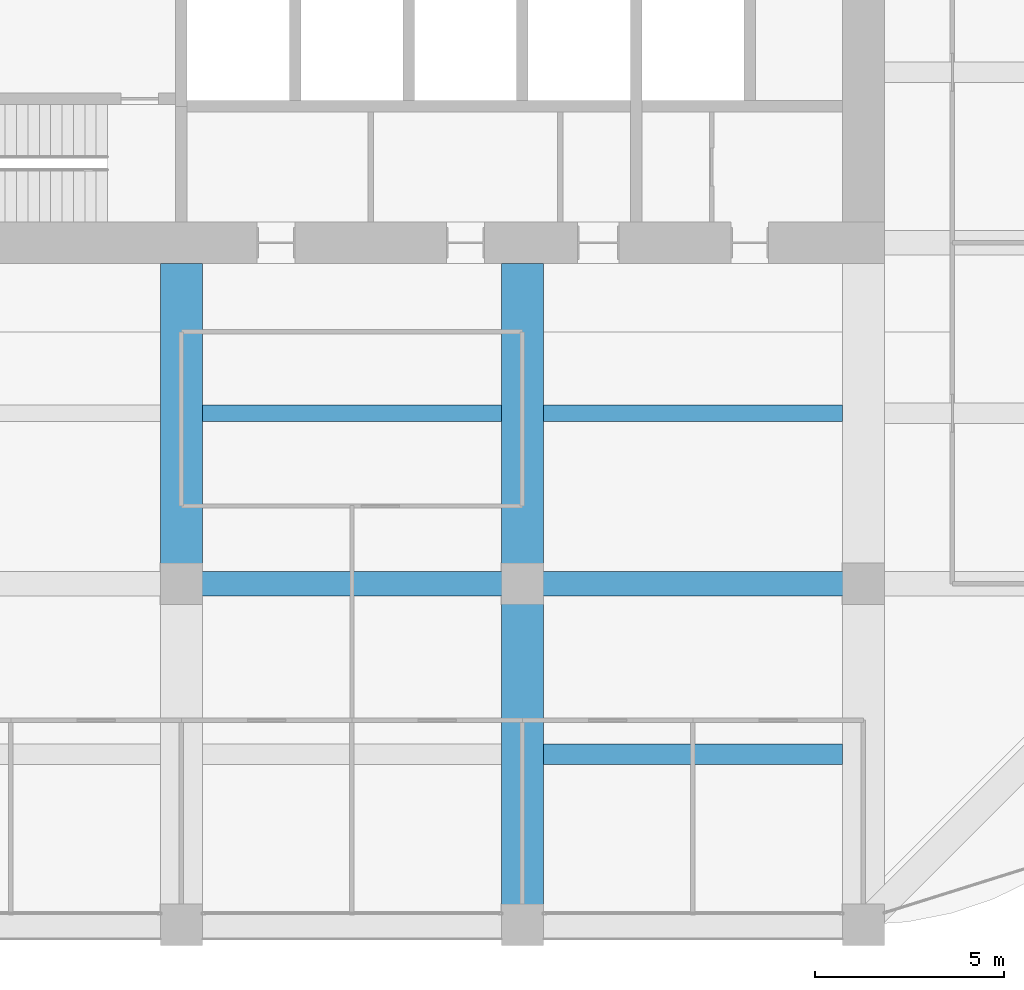
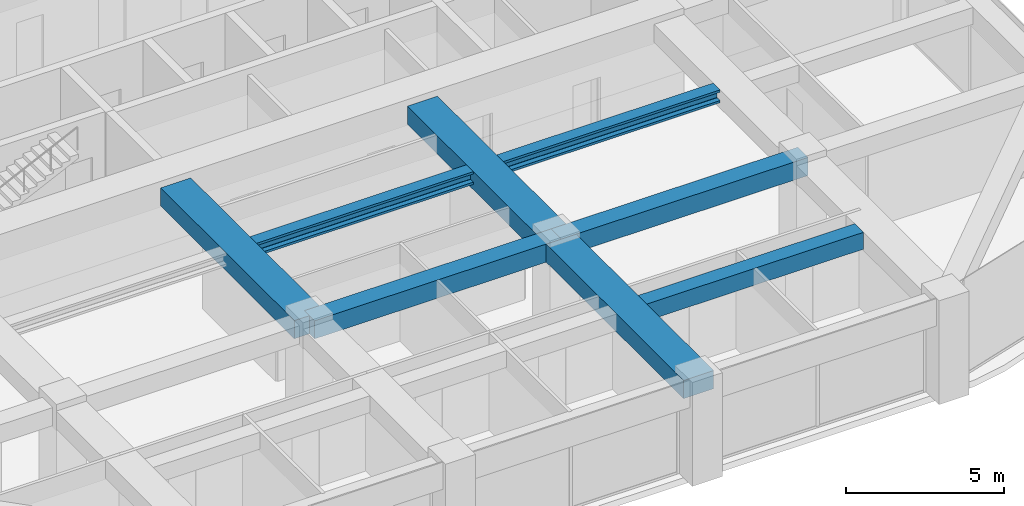
# One storey, part 12 of 44: 8 beams.
"""IFC4 building model written with IfcOpenShell, lengths in metres."""

from ifc_helpers import new_model, si_unit, direction, frame, origin, origin_2d, place, context, subcontext, project, spatial, rectangle, i_section, extrude, material, material_profile, profile_set, type_object, element, save


model = new_model("IFC4")

# Units and contexts
model_context = context("Model", 3, precision=1e-05, world=origin(), true_north=direction((0.0, 1.0)))
body_context = subcontext(model_context, "Body", "Model", "MODEL_VIEW")
ifc_project = project(units=[si_unit("LENGTHUNIT", "METRE"), si_unit("AREAUNIT", "SQUARE_METRE"), si_unit("VOLUMEUNIT", "CUBIC_METRE"), si_unit("PLANEANGLEUNIT", "RADIAN"), si_unit("MASSUNIT", "GRAM", prefix="KILO")], contexts=[model_context])

# Site, building, storey
site_placement = place(None, origin())
site = spatial("IfcSite", under=ifc_project, at=site_placement, CompositionType="ELEMENT")
building_placement = place(site_placement, origin())
building = spatial("IfcBuilding", under=site, at=building_placement, Name="Zorevar Civic Tower", CompositionType="ELEMENT")
storey_placement = place(building_placement, frame((0.0, 0.0, 275.39990234375)))
storey = spatial("IfcBuildingStorey", under=building, at=storey_placement, Name="L67", CompositionType="ELEMENT", Elevation=275.39990234375)

# Beams
ifc_material_1 = material(Name="Concrete C50/60", Category="concrete")
ifc_material_profile_1 = material_profile(ifc_material_1, rectangle(XDim=1.10009765625, YDim=0.699951171875, at=origin_2d()), Name="RC 1100x700")
ifc_profile_set_1 = profile_set([ifc_material_profile_1], Name="Concrete C50/60")
beam_type_1 = type_object("IfcBeamType", Name="Beam RC 1100x700", PredefinedType="BEAM", material=ifc_profile_set_1)
beam_1_placement = place(storey_placement, frame((27.0, 9.0, 3.400146484375), z_axis=(0.0, 1.0, 0.0), x_axis=(-1.0, 0.0, 0.0)))
element("IfcBeam", 1, at=beam_1_placement, inside=storey, type_object=beam_type_1, Name="Girder L68", PredefinedType="BEAM", context=body_context, shape_type="SweptSolid", body=[
    extrude(rectangle(XDim=1.10009765625, YDim=0.699951171875, at=origin_2d()), origin(), (0.0, 0.0, 1.0), 8.449951171875),
])
beam_2_placement = place(storey_placement, frame((36.0, 0.0, 3.400146484375), z_axis=(0.0, 1.0, 0.0), x_axis=(-1.0, 0.0, 0.0)))
element("IfcBeam", 2, at=beam_2_placement, inside=storey, type_object=beam_type_1, Name="Girder L68", PredefinedType="BEAM", context=body_context, shape_type="SweptSolid", body=[
    extrude(rectangle(XDim=1.10009765625, YDim=0.699951171875, at=origin_2d()), origin(), (0.0, 0.0, 1.0), 9.0),
])
beam_3_placement = place(storey_placement, frame((36.0, 9.0, 3.400146484375), z_axis=(0.0, 1.0, 0.0), x_axis=(-1.0, 0.0, 0.0)))
element("IfcBeam", 3, at=beam_3_placement, inside=storey, type_object=beam_type_1, Name="Girder L68", PredefinedType="BEAM", context=body_context, shape_type="SweptSolid", body=[
    extrude(rectangle(XDim=1.10009765625, YDim=0.699951171875, at=origin_2d()), origin(), (0.0, 0.0, 1.0), 8.449951171875),
])
ifc_material_2 = material(Name="Concrete C50/60", Category="concrete")
ifc_material_profile_2 = material_profile(ifc_material_2, rectangle(XDim=0.550048828125, YDim=0.64990234375, at=origin_2d()), Name="RC 550x650")
ifc_profile_set_2 = profile_set([ifc_material_profile_2], Name="Concrete C50/60")
beam_type_2 = type_object("IfcBeamType", Name="Beam RC 550x650", PredefinedType="BEAM", material=ifc_profile_set_2)
beam_4_placement = place(storey_placement, frame((36.550048828125, 4.5, 3.425048828125), z_axis=(1.0, 0.0, 0.0), x_axis=(0.0, 1.0, 0.0)))
element("IfcBeam", 4, at=beam_4_placement, inside=storey, type_object=beam_type_2, Name="Secondary beam L68", PredefinedType="BEAM", context=body_context, shape_type="SweptSolid", body=[
    extrude(rectangle(XDim=0.550048828125, YDim=0.64990234375, at=origin_2d()), origin(), (0.0, 0.0, 1.0), 7.89990234375),
])
ifc_material_3 = material(Name="Concrete C50/60", Category="concrete")
ifc_material_profile_3 = material_profile(ifc_material_3, rectangle(XDim=0.64990234375, YDim=0.699951171875, at=origin_2d()), Name="RC 650x700")
ifc_profile_set_3 = profile_set([ifc_material_profile_3], Name="Concrete C50/60")
beam_type_3 = type_object("IfcBeamType", Name="Beam RC 650x700", PredefinedType="BEAM", material=ifc_profile_set_3)
for number, where, z_axis, x_axis, name in (
    (5, (27.0, 9.0, 3.400146484375), (1.0, 0.0, 0.0), (0.0, 1.0, 0.0), "Girder L68"),
    (6, (36.0, 9.0, 3.400146484375), (1.0, 0.0, 0.0), (0.0, 1.0, 0.0), "Girder L68"),
):
    element("IfcBeam", number, at=place(storey_placement, frame(where, z_axis=z_axis, x_axis=x_axis)), inside=storey, type_object=beam_type_3, Name=name, PredefinedType="BEAM", context=body_context, shape_type="SweptSolid", body=[
        extrude(rectangle(XDim=0.64990234375, YDim=0.699951171875, at=origin_2d()), origin(), (0.0, 0.0, 1.0), 9.0),
    ])
ifc_material_4 = material(Name="Steel S460M (HISTAR 460)", Category="steel")
ifc_material_profile_4 = material_profile(ifc_material_4, i_section(OverallWidth=0.431884765625, OverallDepth=0.498046875, WebThickness=0.0556640625, FlangeThickness=0.0888671875, FilletRadius=0.014892578125, at=origin_2d()), Name="HD 400x744")
ifc_profile_set_4 = profile_set([ifc_material_profile_4], Name="Steel S460M (HISTAR 460)")
beam_type_4 = type_object("IfcBeamType", Name="Core bay beam HD 400x744", PredefinedType="BEAM", material=ifc_profile_set_4)
for number, where, z_axis, x_axis, name in (
    (7, (27.550048828125, 13.5, 3.5009765625), (1.0, 0.0, 0.0), (0.0, 1.0, 0.0), "Secondary beam L68"),
    (8, (36.550048828125, 13.5, 3.5009765625), (1.0, 0.0, 0.0), (0.0, 1.0, 0.0), "Secondary beam L68"),
):
    element("IfcBeam", number, at=place(storey_placement, frame(where, z_axis=z_axis, x_axis=x_axis)), inside=storey, type_object=beam_type_4, Name=name, PredefinedType="BEAM", context=body_context, shape_type="SweptSolid", body=[
        extrude(i_section(OverallWidth=0.431884765625, OverallDepth=0.498046875, WebThickness=0.0556640625, FlangeThickness=0.0888671875, FilletRadius=0.014892578125, at=origin_2d()), origin(), (0.0, 0.0, 1.0), 7.89990234375),
    ])

save(model, "model.ifc")
